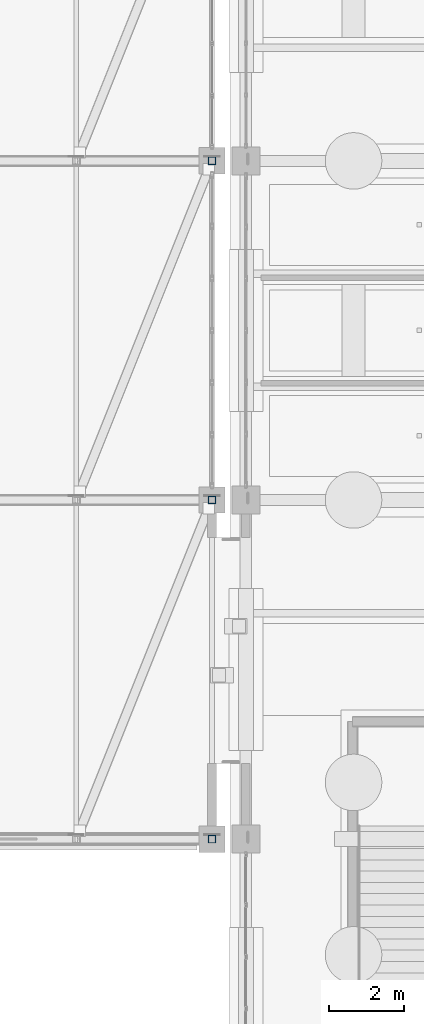
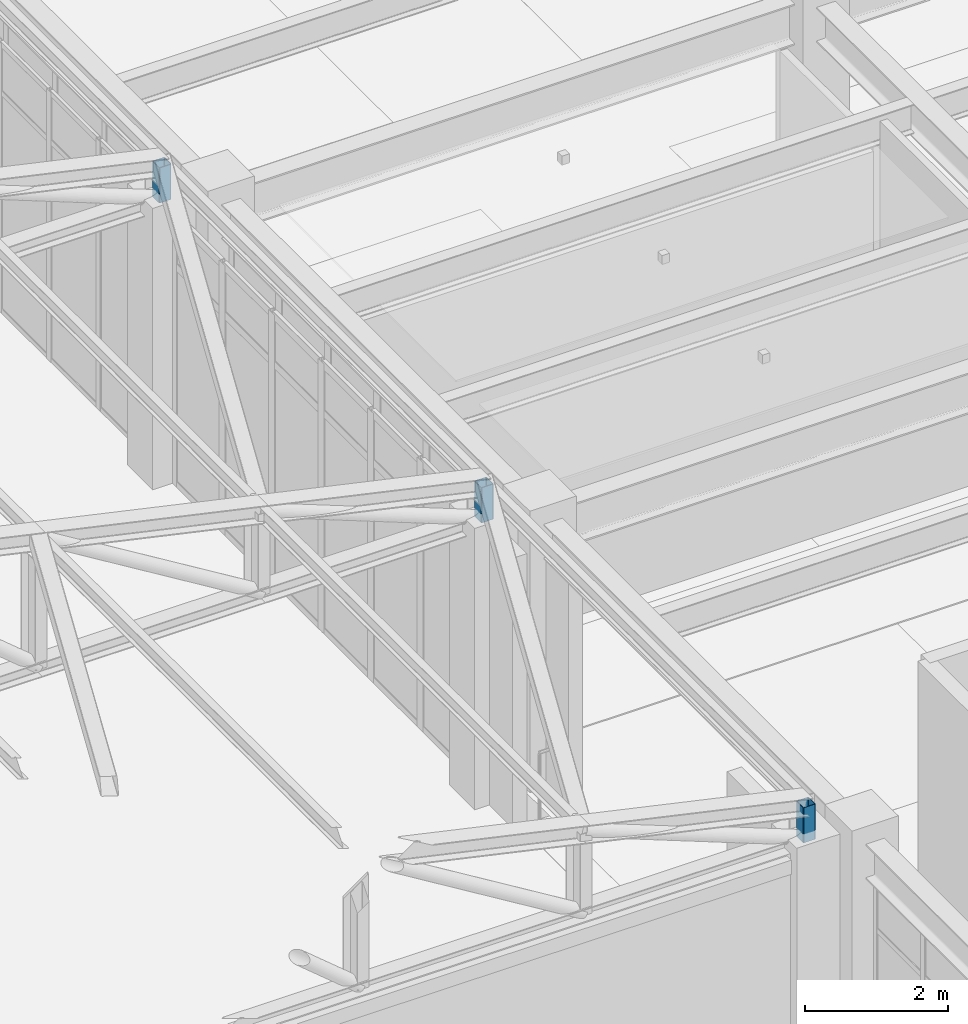
# One storey, part 88 of 139: 3 members.
"""IFC4 building model written with IfcOpenShell, lengths in metres."""

from ifc_helpers import new_model, si_unit, direction, frame, origin, origin_2d, place, context, subcontext, project, spatial, hollow_rectangle, extrude, material, material_profile, profile_set, type_object, element, save


model = new_model("IFC4")

# Units and contexts
model_context = context("Model", 3, precision=1e-05, world=origin(), true_north=direction((0.0, 1.0)))
body_context = subcontext(model_context, "Body", "Model", "MODEL_VIEW")
ifc_project = project(units=[si_unit("LENGTHUNIT", "METRE"), si_unit("AREAUNIT", "SQUARE_METRE"), si_unit("VOLUMEUNIT", "CUBIC_METRE"), si_unit("PLANEANGLEUNIT", "RADIAN"), si_unit("MASSUNIT", "GRAM", prefix="KILO")], contexts=[model_context])

# Site, building, storey
site_placement = place(None, origin())
site = spatial("IfcSite", under=ifc_project, at=site_placement, CompositionType="ELEMENT")
building_placement = place(site_placement, origin())
building = spatial("IfcBuilding", under=site, at=building_placement, Name="Canglan Escarpment Cableway Terminal", CompositionType="ELEMENT")
storey_placement = place(building_placement, frame((0.0, 0.0, 14.39990234375)))
storey = spatial("IfcBuildingStorey", under=building, at=storey_placement, Name="L03", CompositionType="ELEMENT", Elevation=14.39990234375)

# Members
ifc_material = material(Name="Steel Q355B", Category="steel")
ifc_material_profile = material_profile(ifc_material, hollow_rectangle(XDim=0.199951171875, YDim=0.199951171875, WallThickness=0.008056640625, InnerFilletRadius=0.008056640625, OuterFilletRadius=0.01611328125, at=origin_2d()), Name="SHS 200x200x8")
ifc_profile_set = profile_set([ifc_material_profile], Name="Steel Q355B")
member_type = type_object("IfcMemberType", Name="MB-PRATT-WEB-SHS200", PredefinedType="BRACE", material=ifc_profile_set)
for number, where, z_axis, x_axis, name in (
    (1, (136.699951171875, 43.0, 4.650146484375), (0.0, 0.0, 1.0), (1.0, 0.0, 0.0), "Cabin Garage ROOF TRUSS strut PT-WB1"),
    (2, (136.699951171875, 52.0, 4.650146484375), (0.0, 0.0, 1.0), (1.0, 0.0, 0.0), "Cabin Garage ROOF TRUSS strut PT-WB1"),
    (3, (136.699951171875, 61.0, 4.650146484375), (0.0, 0.0, 1.0), (1.0, 0.0, 0.0), "Cabin Garage ROOF TRUSS strut PT-WB1"),
):
    element("IfcMember", number, at=place(storey_placement, frame(where, z_axis=z_axis, x_axis=x_axis)), inside=storey, type_object=member_type, Name=name, PredefinedType="BRACE", context=body_context, shape_type="SweptSolid", body=[
        extrude(hollow_rectangle(XDim=0.199951171875, YDim=0.199951171875, WallThickness=0.008056640625, InnerFilletRadius=0.008056640625, OuterFilletRadius=0.01611328125, at=origin_2d()), origin(), (0.0, 0.0, 1.0), 0.599853515625),
    ])

save(model, "model.ifc")
